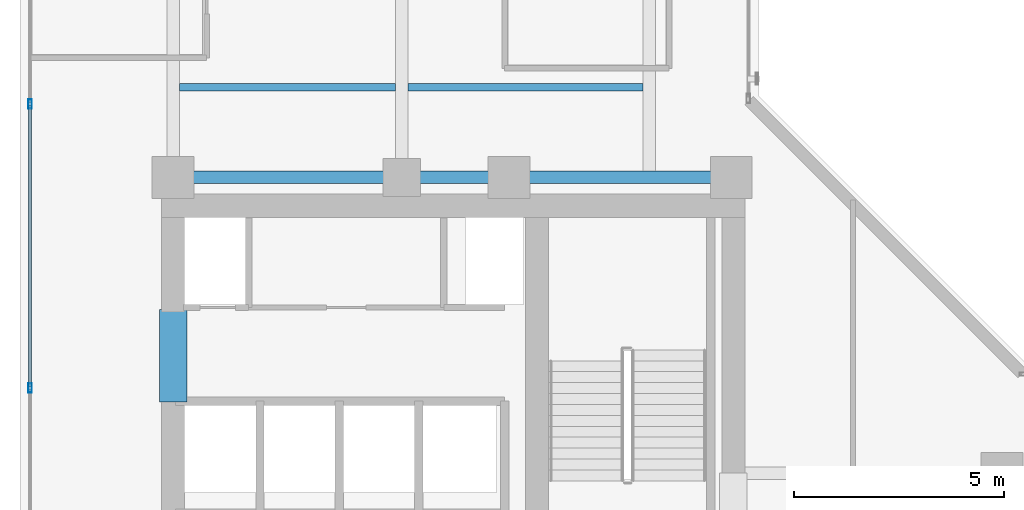
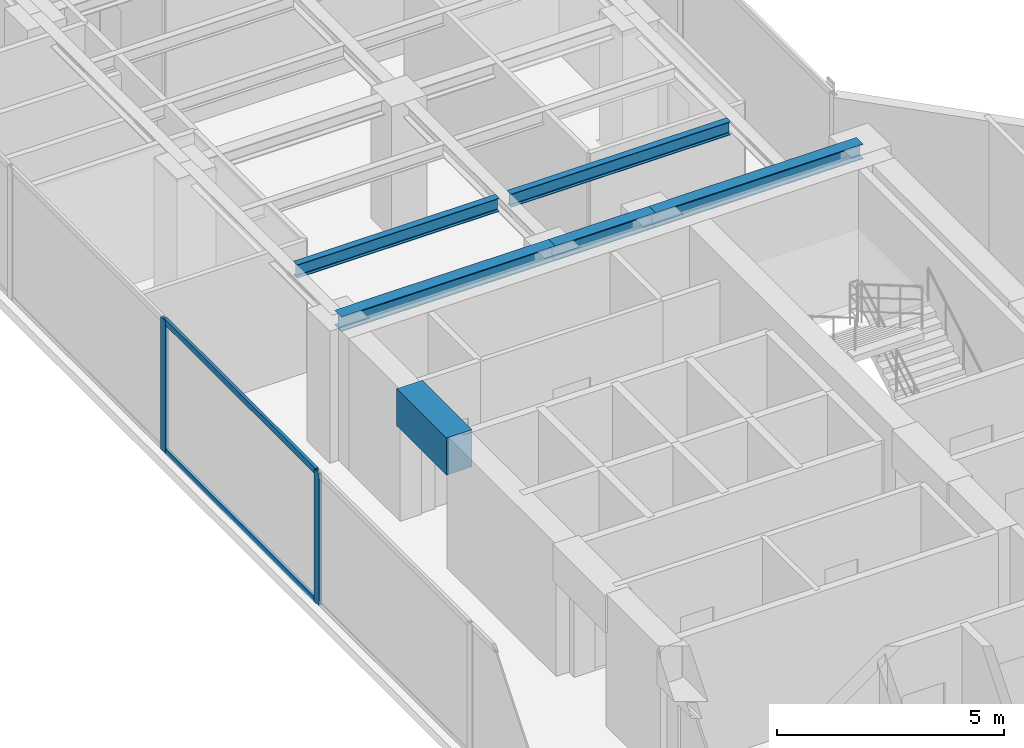
# One storey, part 7 of 23: 6 beams, 4 members, 1 element without a shape of its own.
"""IFC4 building model written with IfcOpenShell, lengths in metres."""

from ifc_helpers import new_model, si_unit, direction, frame, origin, origin_with_axes, origin_2d, place, context, subcontext, project, spatial, rectangle, hollow_rectangle, i_section, extrude, source, transform, mapped, material, layer, layer_set, material_profile, profile_set, type_object, element, aggregate, save


model = new_model("IFC4")

# Units and contexts
model_context = context("Model", 3, precision=1e-05, world=origin(), true_north=direction((0.0, 1.0)))
body_context = subcontext(model_context, "Body", "Model", "MODEL_VIEW")
ifc_project = project(units=[si_unit("LENGTHUNIT", "METRE"), si_unit("AREAUNIT", "SQUARE_METRE"), si_unit("VOLUMEUNIT", "CUBIC_METRE"), si_unit("PLANEANGLEUNIT", "RADIAN"), si_unit("MASSUNIT", "GRAM", prefix="KILO")], contexts=[model_context])

# Site, building, storey
site_placement = place(None, origin())
site = spatial("IfcSite", under=ifc_project, at=site_placement, CompositionType="ELEMENT")
building_placement = place(site_placement, origin())
building = spatial("IfcBuilding", under=site, at=building_placement, Name="Kolvaren Waterfront Exchange", CompositionType="ELEMENT")
storey_placement = place(building_placement, frame((0.0, 0.0, 215.89990234375)))
storey = spatial("IfcBuildingStorey", under=building, at=storey_placement, Name="L55", CompositionType="ELEMENT", Elevation=215.89990234375)

# Beams
ifc_material_1 = material(Name="Steel S355", Category="steel")
ifc_material_profile_1 = material_profile(ifc_material_1, i_section(OverallWidth=0.300048828125, OverallDepth=0.39990234375, WebThickness=0.013427734375, FlangeThickness=0.02392578125, FilletRadius=0.027099609375, at=origin_2d()), Name="HEB400")
ifc_profile_set_1 = profile_set([ifc_material_profile_1], Name="Steel S355")
beam_type_1 = type_object("IfcBeamType", Name="STR-BM-HEB400", PredefinedType="BEAM", material=ifc_profile_set_1)
beam_1_placement = place(storey_placement, frame((7.449951171875, 24.449951171875, 3.360107421875), z_axis=(1.0, 0.0, 0.0), x_axis=(0.0, 1.0, 0.0)))
element("IfcBeam", 1, at=beam_1_placement, inside=storey, type_object=beam_type_1, Name="L55 north-arm girder 1A", PredefinedType="BEAM", context=body_context, shape_type="SweptSolid", body=[
    extrude(i_section(OverallWidth=0.300048828125, OverallDepth=0.39990234375, WebThickness=0.013427734375, FlangeThickness=0.02392578125, FilletRadius=0.027099609375, at=origin_2d()), origin(), (0.0, 0.0, 1.0), 5.449951171875),
])
beam_2_placement = place(storey_placement, frame((12.89990234375, 24.449951171875, 3.360107421875), z_axis=(1.0, 0.0, 0.0), x_axis=(0.0, 1.0, 0.0)))
element("IfcBeam", 2, at=beam_2_placement, inside=storey, type_object=beam_type_1, Name="L55 north-arm girder 1B", PredefinedType="BEAM", context=body_context, shape_type="SweptSolid", body=[
    extrude(i_section(OverallWidth=0.300048828125, OverallDepth=0.39990234375, WebThickness=0.013427734375, FlangeThickness=0.02392578125, FilletRadius=0.027099609375, at=origin_2d()), origin(), (0.0, 0.0, 1.0), 2.550048828125),
])
beam_3_placement = place(storey_placement, frame((15.449951171875, 24.449951171875, 3.360107421875), z_axis=(1.0, 0.0, 0.0), x_axis=(0.0, 1.0, 0.0)))
element("IfcBeam", 3, at=beam_3_placement, inside=storey, type_object=beam_type_1, Name="L55 north-arm girder 1C", PredefinedType="BEAM", context=body_context, shape_type="SweptSolid", body=[
    extrude(i_section(OverallWidth=0.300048828125, OverallDepth=0.39990234375, WebThickness=0.013427734375, FlangeThickness=0.02392578125, FilletRadius=0.027099609375, at=origin_2d()), origin(), (0.0, 0.0, 1.0), 5.300048828125),
])
ifc_material_profile_2 = material_profile(ifc_material_1, i_section(OverallWidth=0.169921875, OverallDepth=0.360107421875, WebThickness=0.008056640625, FlangeThickness=0.0126953125, FilletRadius=0.01806640625, at=origin_2d()), Name="IPE360")
ifc_profile_set_2 = profile_set([ifc_material_profile_2], Name="Steel S355")
beam_type_2 = type_object("IfcBeamType", Name="STR-BM-IPE360", PredefinedType="JOIST", material=ifc_profile_set_2)
beam_4_placement = place(storey_placement, frame((7.60205078125, 26.60009765625, 3.380126953125), z_axis=(1.0, 0.0, 0.0), x_axis=(0.0, 1.0, 0.0)))
element("IfcBeam", 4, at=beam_4_placement, inside=storey, type_object=beam_type_2, Name="L55 north-arm composite joist 1A", PredefinedType="JOIST", context=body_context, shape_type="SweptSolid", body=[
    extrude(i_section(OverallWidth=0.169921875, OverallDepth=0.360107421875, WebThickness=0.008056640625, FlangeThickness=0.0126953125, FilletRadius=0.01806640625, at=origin_2d()), origin(), (0.0, 0.0, 1.0), 5.14599609375),
])
beam_5_placement = place(storey_placement, frame((13.052001953125, 26.60009765625, 3.380126953125), z_axis=(1.0, 0.0, 0.0), x_axis=(0.0, 1.0, 0.0)))
element("IfcBeam", 5, at=beam_5_placement, inside=storey, type_object=beam_type_2, Name="L55 north-arm composite joist 1B", PredefinedType="JOIST", context=body_context, shape_type="SweptSolid", body=[
    extrude(i_section(OverallWidth=0.169921875, OverallDepth=0.360107421875, WebThickness=0.008056640625, FlangeThickness=0.0126953125, FilletRadius=0.01806640625, at=origin_2d()), origin(), (0.0, 0.0, 1.0), 5.595947265625),
])
ifc_material_2 = material(Name="Concrete C60/75", Category="concrete")
ifc_material_profile_3 = material_profile(ifc_material_2, rectangle(XDim=0.64990234375, YDim=1.0, at=origin_2d()), Name="RC-CB-1000x650")
ifc_profile_set_3 = profile_set([ifc_material_profile_3], Name="Concrete C60/75")
beam_type_3 = type_object("IfcBeamType", Name="STR-CB-1000", PredefinedType="SPANDREL", material=ifc_profile_set_3)
beam_6_placement = place(storey_placement, frame((7.449951171875, 19.10009765625, 3.06005859375), z_axis=(0.0, 1.0, 0.0), x_axis=(-1.0, 0.0, 0.0)))
element("IfcBeam", 6, at=beam_6_placement, inside=storey, type_object=beam_type_3, Name="L55 core coupling beam 5", PredefinedType="SPANDREL", context=body_context, shape_type="SweptSolid", body=[
    extrude(rectangle(XDim=0.64990234375, YDim=1.0, at=origin_2d()), origin(), (0.0, 0.0, 1.0), 2.199951171875),
])

# Curtain wall, members
ifc_material_3 = material(Name="Anodised aluminium 6063-T6", Category="aluminium")
ifc_layer = layer(ifc_material_3, 0.219970703125, Name="Anodised aluminium 6063-T6")
ifc_layer_set = layer_set([ifc_layer], Name="Anodised aluminium 6063-T6")
curtain_wall_type = type_object("IfcCurtainWallType", Name="ARC-CW-SYS2", PredefinedType="USERDEFINED", material=ifc_layer_set)
curtain_wall_placement = place(storey_placement, origin())
curtain_wall = element("IfcCurtainWall", 7, at=curtain_wall_placement, inside=storey, type_object=curtain_wall_type, Name="L55 stick curtain wall CW2 (CW-L55-W)", ObjectType="STICK CURTAIN WALL", PredefinedType="USERDEFINED")
ifc_material_profile_4 = material_profile(ifc_material_3, hollow_rectangle(XDim=0.080078125, YDim=0.219970703125, WallThickness=0.0048828125, at=origin_2d()), Name="ALU-MUL-220x80x5")
ifc_profile_set_4 = profile_set([ifc_material_profile_4], Name="Anodised aluminium 6063-T6")
member_type_1 = type_object("IfcMemberType", Name="ARC-CWM-220", PredefinedType="MULLION", material=ifc_profile_set_4)
shared_shape_1 = source(origin_with_axes(), body_context, "Body", "SweptSolid", [
    extrude(hollow_rectangle(XDim=0.080078125, YDim=0.219970703125, WallThickness=0.0048828125, at=origin_2d()), origin(), (0.0, 0.0, 1.0), 3.56005859375),
])
member_1_placement = place(storey_placement, frame((4.0400390625, 19.433349609375, 0.0), z_axis=(0.0, 0.0, 1.0), x_axis=(-1.0, 0.0, 0.0)))
member_1 = element("IfcMember", 8, at=member_1_placement, type_object=member_type_1, Name="CW2 mullion 3", PredefinedType="MULLION", context=body_context, shape_type="MappedRepresentation", body=[
    mapped(shared_shape_1, transform((0.0, 0.0, 0.0), x_axis=(1.0, 0.0, 0.0), y_axis=(0.0, 1.0, 0.0), z_axis=(0.0, 0.0, 1.0), scale=1.0)),
])
member_2_placement = place(storey_placement, frame((4.0400390625, 26.199951171875, 0.0), z_axis=(0.0, 0.0, 1.0), x_axis=(-1.0, 0.0, 0.0)))
member_2 = element("IfcMember", 9, at=member_2_placement, type_object=member_type_1, Name="CW2 mullion 4", PredefinedType="MULLION", context=body_context, shape_type="MappedRepresentation", body=[
    mapped(shared_shape_1, transform((0.0, 0.0, 0.0), x_axis=(1.0, 0.0, 0.0), y_axis=(0.0, 1.0, 0.0), z_axis=(0.0, 0.0, 1.0), scale=1.0)),
])
ifc_material_profile_5 = material_profile(ifc_material_3, hollow_rectangle(XDim=0.074951171875, YDim=0.159912109375, WallThickness=0.00439453125, at=origin_2d()), Name="ALU-TRN-160x75x4.5")
ifc_profile_set_5 = profile_set([ifc_material_profile_5], Name="Anodised aluminium 6063-T6")
member_type_2 = type_object("IfcMemberType", Name="ARC-CWT-160", PredefinedType="USERDEFINED", material=ifc_profile_set_5)
shared_shape_2 = source(origin_with_axes(), body_context, "Body", "SweptSolid", [
    extrude(hollow_rectangle(XDim=0.074951171875, YDim=0.159912109375, WallThickness=0.00439453125, at=origin_2d()), origin(), (0.0, 0.0, 1.0), 6.6865234375),
])
member_3_placement = place(storey_placement, frame((4.0400390625, 19.473388671875, 0.03759765625), z_axis=(0.0, 1.0, 0.0), x_axis=(-1.0, 0.0, 0.0)))
member_3 = element("IfcMember", 10, at=member_3_placement, type_object=member_type_2, Name="CW2 transom 3.1", ObjectType="TRANSOM", PredefinedType="USERDEFINED", context=body_context, shape_type="MappedRepresentation", body=[
    mapped(shared_shape_2, transform((0.0, 0.0, 0.0), x_axis=(1.0, 0.0, 0.0), y_axis=(0.0, 1.0, 0.0), z_axis=(0.0, 0.0, 1.0), scale=1.0)),
])
member_4_placement = place(storey_placement, frame((4.0400390625, 19.473388671875, 3.522705078125), z_axis=(0.0, 1.0, 0.0), x_axis=(-1.0, 0.0, 0.0)))
member_4 = element("IfcMember", 11, at=member_4_placement, type_object=member_type_2, Name="CW2 transom 3.2", ObjectType="TRANSOM", PredefinedType="USERDEFINED", context=body_context, shape_type="MappedRepresentation", body=[
    mapped(shared_shape_2, transform((0.0, 0.0, 0.0), x_axis=(1.0, 0.0, 0.0), y_axis=(0.0, 1.0, 0.0), z_axis=(0.0, 0.0, 1.0), scale=1.0)),
])
aggregate(curtain_wall, [member_1, member_2, member_3, member_4])

save(model, "model.ifc")
